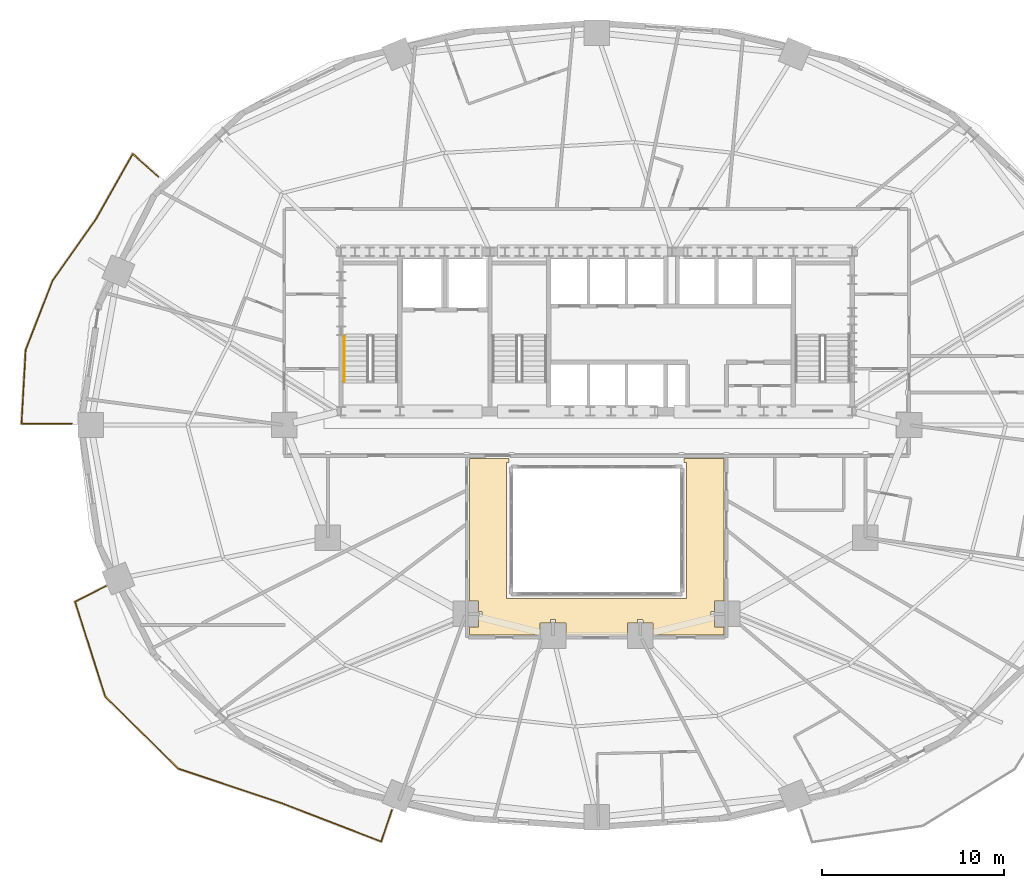
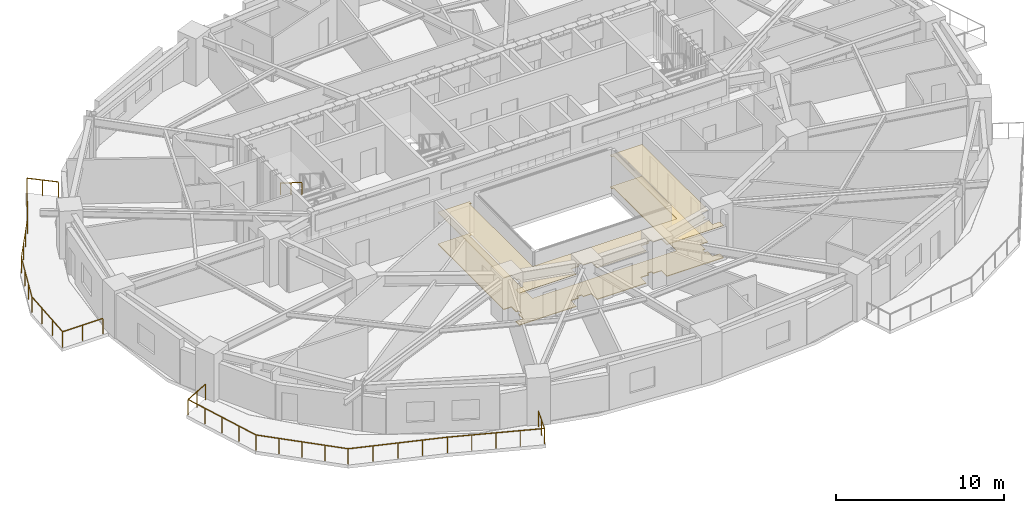
# One storey, part 13 of 15: 3 railings, 2 coverings.
"""IFC4 building model written with IfcOpenShell, lengths in metres."""

from ifc_helpers import new_model, si_unit, direction, frame, origin, origin_2d, place, context, subcontext, project, spatial, polyline, rectangle, outline, extrude, material, layer, layer_set, type_object, element, save


model = new_model("IFC4")

# Units and contexts
model_context = context("Model", 3, precision=1e-05, world=origin(), true_north=direction((0.0, 1.0)))
body_context = subcontext(model_context, "Body", "Model", "MODEL_VIEW")
ifc_project = project(units=[si_unit("LENGTHUNIT", "METRE"), si_unit("AREAUNIT", "SQUARE_METRE"), si_unit("VOLUMEUNIT", "CUBIC_METRE"), si_unit("PLANEANGLEUNIT", "RADIAN"), si_unit("MASSUNIT", "GRAM", prefix="KILO")], contexts=[model_context])

# Site, building, storey
site_placement = place(None, origin())
site = spatial("IfcSite", under=ifc_project, at=site_placement, CompositionType="ELEMENT")
building_placement = place(site_placement, origin())
building = spatial("IfcBuilding", under=site, at=building_placement, Name="Haldorwick Loom Tower", CompositionType="ELEMENT")
storey_placement = place(building_placement, frame((0.0, 0.0, 85.25)))
storey = spatial("IfcBuildingStorey", under=building, at=storey_placement, Name="L22", CompositionType="ELEMENT", Elevation=85.25)

# Coverings
ifc_material_1 = material(Name="Mineral Fibre Acoustic Ceiling Tile")
ifc_layer_1 = layer(ifc_material_1, 0.054931640625, Name="Mineral Fibre Acoustic Ceiling Tile")
ifc_layer_set_1 = layer_set([ifc_layer_1], Name="Mineral Fibre Acoustic Ceiling Tile")
covering_type_1 = type_object("IfcCoveringType", Name="ARC-COV-CEIL2", PredefinedType="CEILING", material=ifc_layer_set_1)
covering_1_placement = place(storey_placement, frame((0.0, 0.0, 2.302001953125)))
element("IfcCovering", 1, at=covering_1_placement, inside=storey, type_object=covering_type_1, Name="L22 Acoustic Suspended Ceiling 1", PredefinedType="CEILING", context=body_context, shape_type="SweptSolid", body=[
    extrude(outline(polyline([(40.820068359375, 24.159912109375), (40.820068359375, 23.949951171875), (40.949951171875, 23.949951171875), (40.949951171875, 16.449951171875), (31.050048828125, 16.449951171875), (31.050048828125, 23.949951171875), (31.179931640625, 23.949951171875), (31.179931640625, 24.159912109375), (28.989990234375, 24.159912109375), (28.989990234375, 16.30810546875), (29.508056640625, 16.30810546875), (29.508056640625, 15.739990234375), (29.669921875, 15.739990234375), (29.672119140625, 15.739990234375), (29.673828125, 15.739501953125), (29.67578125, 15.739013671875), (29.677734375, 15.738525390625), (29.679443359375, 15.737548828125), (29.68115234375, 15.736572265625), (29.6826171875, 15.735595703125), (29.68408203125, 15.734130859375), (29.685546875, 15.732666015625), (29.6865234375, 15.731201171875), (29.6875, 15.7294921875), (29.6884765625, 15.727783203125), (29.689208984375, 15.725830078125), (29.689697265625, 15.723876953125), (29.68994140625, 15.721923828125), (29.68994140625, 15.719970703125), (29.68994140625, 15.47998046875), (29.68994140625, 15.47802734375), (29.689697265625, 15.47607421875), (29.689208984375, 15.47412109375), (29.6884765625, 15.472412109375), (29.6875, 15.470703125), (29.6865234375, 15.468994140625), (29.685546875, 15.46728515625), (29.68408203125, 15.4658203125), (29.6826171875, 15.464599609375), (29.68115234375, 15.46337890625), (29.679443359375, 15.46240234375), (29.677734375, 15.46142578125), (29.67578125, 15.4609375), (29.673828125, 15.46044921875), (29.672119140625, 15.460205078125), (29.669921875, 15.4599609375), (29.508056640625, 15.4599609375), (29.508056640625, 14.89208984375), (28.989990234375, 14.89208984375), (28.989990234375, 14.43994140625), (32.89208984375, 14.43994140625), (32.89208984375, 15.10791015625), (33.4599609375, 15.10791015625), (33.4599609375, 15.27001953125), (33.460205078125, 15.27197265625), (33.46044921875, 15.27392578125), (33.4609375, 15.27587890625), (33.46142578125, 15.277587890625), (33.46240234375, 15.279296875), (33.46337890625, 15.281005859375), (33.464599609375, 15.28271484375), (33.4658203125, 15.2841796875), (33.46728515625, 15.285400390625), (33.468994140625, 15.28662109375), (33.470703125, 15.28759765625), (33.472412109375, 15.28857421875), (33.47412109375, 15.2890625), (33.47607421875, 15.28955078125), (33.47802734375, 15.289794921875), (33.47998046875, 15.2900390625), (33.719970703125, 15.2900390625), (33.721923828125, 15.289794921875), (33.723876953125, 15.28955078125), (33.725830078125, 15.2890625), (33.727783203125, 15.28857421875), (33.7294921875, 15.28759765625), (33.731201171875, 15.28662109375), (33.732666015625, 15.285400390625), (33.734130859375, 15.2841796875), (33.735595703125, 15.28271484375), (33.736572265625, 15.281005859375), (33.737548828125, 15.279296875), (33.738525390625, 15.277587890625), (33.739013671875, 15.27587890625), (33.739501953125, 15.27392578125), (33.739990234375, 15.27197265625), (33.739990234375, 15.27001953125), (33.739990234375, 15.10791015625), (34.30810546875, 15.10791015625), (34.30810546875, 14.43994140625), (37.69189453125, 14.43994140625), (37.69189453125, 15.10791015625), (38.260009765625, 15.10791015625), (38.260009765625, 15.27001953125), (38.260009765625, 15.27197265625), (38.260498046875, 15.27392578125), (38.260986328125, 15.27587890625), (38.261474609375, 15.277587890625), (38.262451171875, 15.279296875), (38.263427734375, 15.281005859375), (38.264404296875, 15.28271484375), (38.265869140625, 15.2841796875), (38.267333984375, 15.285400390625), (38.268798828125, 15.28662109375), (38.2705078125, 15.28759765625), (38.272216796875, 15.28857421875), (38.274169921875, 15.2890625), (38.276123046875, 15.28955078125), (38.278076171875, 15.289794921875), (38.280029296875, 15.2900390625), (38.52001953125, 15.2900390625), (38.52197265625, 15.289794921875), (38.52392578125, 15.28955078125), (38.52587890625, 15.2890625), (38.527587890625, 15.28857421875), (38.529296875, 15.28759765625), (38.531005859375, 15.28662109375), (38.53271484375, 15.285400390625), (38.5341796875, 15.2841796875), (38.535400390625, 15.28271484375), (38.53662109375, 15.28125), (38.53759765625, 15.279541015625), (38.538330078125, 15.277587890625), (38.5390625, 15.27587890625), (38.53955078125, 15.27392578125), (38.539794921875, 15.272216796875), (38.5400390625, 15.27001953125), (38.540771484375, 15.10791015625), (39.10791015625, 15.10791015625), (39.10791015625, 14.43994140625), (43.010009765625, 14.43994140625), (43.010009765625, 14.89208984375), (42.491943359375, 14.89208984375), (42.491943359375, 15.4599609375), (42.330078125, 15.4599609375), (42.327880859375, 15.460205078125), (42.326171875, 15.46044921875), (42.32421875, 15.4609375), (42.322265625, 15.46142578125), (42.320556640625, 15.46240234375), (42.31884765625, 15.46337890625), (42.3173828125, 15.464599609375), (42.31591796875, 15.4658203125), (42.314453125, 15.46728515625), (42.3134765625, 15.468994140625), (42.3125, 15.470703125), (42.3115234375, 15.472412109375), (42.310791015625, 15.47412109375), (42.310302734375, 15.47607421875), (42.31005859375, 15.47802734375), (42.31005859375, 15.47998046875), (42.31005859375, 15.719970703125), (42.31005859375, 15.721923828125), (42.310302734375, 15.723876953125), (42.310791015625, 15.725830078125), (42.3115234375, 15.727783203125), (42.3125, 15.7294921875), (42.3134765625, 15.731201171875), (42.314453125, 15.732666015625), (42.31591796875, 15.734130859375), (42.3173828125, 15.735595703125), (42.31884765625, 15.736572265625), (42.320556640625, 15.737548828125), (42.322265625, 15.738525390625), (42.32421875, 15.739013671875), (42.326171875, 15.739501953125), (42.327880859375, 15.739990234375), (42.330078125, 15.739990234375), (42.491943359375, 15.739990234375), (42.491943359375, 16.30810546875), (43.010009765625, 16.30810546875), (43.010009765625, 24.159912109375), (40.820068359375, 24.159912109375)])), origin(), (0.0, 0.0, 1.0), 0.054931640625),
])
ifc_material_2 = material(Name="Polished Aggregate Terrazzo Finish")
ifc_layer_2 = layer(ifc_material_2, 0.044921875, Name="Polished Aggregate Terrazzo Finish")
ifc_layer_set_2 = layer_set([ifc_layer_2], Name="Polished Aggregate Terrazzo Finish")
covering_type_2 = type_object("IfcCoveringType", Name="ARC-COV-FLOOR2", PredefinedType="FLOORING", material=ifc_layer_set_2)
covering_2_placement = place(storey_placement, origin())
element("IfcCovering", 2, at=covering_2_placement, inside=storey, type_object=covering_type_2, Name="L22 Floor Finish 1", PredefinedType="FLOORING", context=body_context, shape_type="SweptSolid", body=[
    extrude(outline(polyline([(40.820068359375, 24.159912109375), (40.820068359375, 23.949951171875), (40.949951171875, 23.949951171875), (40.949951171875, 16.449951171875), (31.050048828125, 16.449951171875), (31.050048828125, 23.949951171875), (31.179931640625, 23.949951171875), (31.179931640625, 24.159912109375), (28.989990234375, 24.159912109375), (28.989990234375, 16.30810546875), (29.508056640625, 16.30810546875), (29.508056640625, 15.739990234375), (29.669921875, 15.739990234375), (29.672119140625, 15.739990234375), (29.673828125, 15.739501953125), (29.67578125, 15.739013671875), (29.677734375, 15.738525390625), (29.679443359375, 15.737548828125), (29.68115234375, 15.736572265625), (29.6826171875, 15.735595703125), (29.68408203125, 15.734130859375), (29.685546875, 15.732666015625), (29.6865234375, 15.731201171875), (29.6875, 15.7294921875), (29.6884765625, 15.727783203125), (29.689208984375, 15.725830078125), (29.689697265625, 15.723876953125), (29.68994140625, 15.721923828125), (29.68994140625, 15.719970703125), (29.68994140625, 15.47998046875), (29.68994140625, 15.47802734375), (29.689697265625, 15.47607421875), (29.689208984375, 15.47412109375), (29.6884765625, 15.472412109375), (29.6875, 15.470703125), (29.6865234375, 15.468994140625), (29.685546875, 15.46728515625), (29.68408203125, 15.4658203125), (29.6826171875, 15.464599609375), (29.68115234375, 15.46337890625), (29.679443359375, 15.46240234375), (29.677734375, 15.46142578125), (29.67578125, 15.4609375), (29.673828125, 15.46044921875), (29.672119140625, 15.460205078125), (29.669921875, 15.4599609375), (29.508056640625, 15.4599609375), (29.508056640625, 14.89208984375), (28.989990234375, 14.89208984375), (28.989990234375, 14.43994140625), (32.89208984375, 14.43994140625), (32.89208984375, 15.10791015625), (33.4599609375, 15.10791015625), (33.4599609375, 15.27001953125), (33.460205078125, 15.27197265625), (33.46044921875, 15.27392578125), (33.4609375, 15.27587890625), (33.46142578125, 15.277587890625), (33.46240234375, 15.279296875), (33.46337890625, 15.281005859375), (33.464599609375, 15.28271484375), (33.4658203125, 15.2841796875), (33.46728515625, 15.285400390625), (33.468994140625, 15.28662109375), (33.470703125, 15.28759765625), (33.472412109375, 15.28857421875), (33.47412109375, 15.2890625), (33.47607421875, 15.28955078125), (33.47802734375, 15.289794921875), (33.47998046875, 15.2900390625), (33.719970703125, 15.2900390625), (33.721923828125, 15.289794921875), (33.723876953125, 15.28955078125), (33.725830078125, 15.2890625), (33.727783203125, 15.28857421875), (33.7294921875, 15.28759765625), (33.731201171875, 15.28662109375), (33.732666015625, 15.285400390625), (33.734130859375, 15.2841796875), (33.735595703125, 15.28271484375), (33.736572265625, 15.281005859375), (33.737548828125, 15.279296875), (33.738525390625, 15.277587890625), (33.739013671875, 15.27587890625), (33.739501953125, 15.27392578125), (33.739990234375, 15.27197265625), (33.739990234375, 15.27001953125), (33.739990234375, 15.10791015625), (34.30810546875, 15.10791015625), (34.30810546875, 14.43994140625), (37.69189453125, 14.43994140625), (37.69189453125, 15.10791015625), (38.260009765625, 15.10791015625), (38.260009765625, 15.27001953125), (38.260009765625, 15.27197265625), (38.260498046875, 15.27392578125), (38.260986328125, 15.27587890625), (38.261474609375, 15.277587890625), (38.262451171875, 15.279296875), (38.263427734375, 15.281005859375), (38.264404296875, 15.28271484375), (38.265869140625, 15.2841796875), (38.267333984375, 15.285400390625), (38.268798828125, 15.28662109375), (38.2705078125, 15.28759765625), (38.272216796875, 15.28857421875), (38.274169921875, 15.2890625), (38.276123046875, 15.28955078125), (38.278076171875, 15.289794921875), (38.280029296875, 15.2900390625), (38.52001953125, 15.2900390625), (38.52197265625, 15.289794921875), (38.52392578125, 15.28955078125), (38.52587890625, 15.2890625), (38.527587890625, 15.28857421875), (38.529296875, 15.28759765625), (38.531005859375, 15.28662109375), (38.53271484375, 15.285400390625), (38.5341796875, 15.2841796875), (38.535400390625, 15.28271484375), (38.53662109375, 15.28125), (38.53759765625, 15.279541015625), (38.538330078125, 15.277587890625), (38.5390625, 15.27587890625), (38.53955078125, 15.27392578125), (38.539794921875, 15.272216796875), (38.5400390625, 15.27001953125), (38.540771484375, 15.10791015625), (39.10791015625, 15.10791015625), (39.10791015625, 14.43994140625), (43.010009765625, 14.43994140625), (43.010009765625, 14.89208984375), (42.491943359375, 14.89208984375), (42.491943359375, 15.4599609375), (42.330078125, 15.4599609375), (42.327880859375, 15.460205078125), (42.326171875, 15.46044921875), (42.32421875, 15.4609375), (42.322265625, 15.46142578125), (42.320556640625, 15.46240234375), (42.31884765625, 15.46337890625), (42.3173828125, 15.464599609375), (42.31591796875, 15.4658203125), (42.314453125, 15.46728515625), (42.3134765625, 15.468994140625), (42.3125, 15.470703125), (42.3115234375, 15.472412109375), (42.310791015625, 15.47412109375), (42.310302734375, 15.47607421875), (42.31005859375, 15.47802734375), (42.31005859375, 15.47998046875), (42.31005859375, 15.719970703125), (42.31005859375, 15.721923828125), (42.310302734375, 15.723876953125), (42.310791015625, 15.725830078125), (42.3115234375, 15.727783203125), (42.3125, 15.7294921875), (42.3134765625, 15.731201171875), (42.314453125, 15.732666015625), (42.31591796875, 15.734130859375), (42.3173828125, 15.735595703125), (42.31884765625, 15.736572265625), (42.320556640625, 15.737548828125), (42.322265625, 15.738525390625), (42.32421875, 15.739013671875), (42.326171875, 15.739501953125), (42.327880859375, 15.739990234375), (42.330078125, 15.739990234375), (42.491943359375, 15.739990234375), (42.491943359375, 16.30810546875), (43.010009765625, 16.30810546875), (43.010009765625, 24.159912109375), (40.820068359375, 24.159912109375)])), origin(), (0.0, 0.0, 1.0), 0.044921875),
])

# Railings
ifc_material_3 = material(Name="Galvanized Steel CSA G40.21 350W", Category="steel")
railing_type_1 = type_object("IfcRailingType", Name="ARC-RLG-BAL115", PredefinedType="BALUSTRADE", material=ifc_material_3)
railing_1_placement = place(storey_placement, frame((24.726806640625, 4.806396484375, 0.0)))
element("IfcRailing", 3, at=railing_1_placement, inside=storey, type_object=railing_type_1, Name="L22 Outdoor Terrace Guardrail SLB-L22-BAL_SW-1", PredefinedType="BALUSTRADE", context=body_context, shape_type="SweptSolid", body=[
    extrude(rectangle(XDim=0.048095703125, YDim=0.048095703125, at=origin_2d()), frame((0.0, 0.0, 1.1259765625), z_axis=(-0.320417931945, -0.94727627907, 0.0), x_axis=(0.94727627907, -0.320417931945, 0.0)), (0.0, 0.0, 1.0), 1.833984375),
    extrude(rectangle(XDim=0.048095703125, YDim=0.048095703125, at=origin_2d()), frame((-0.587646484375, -1.7373046875, 1.1259765625), z_axis=(-0.932882459641, 0.360180949654, 0.0), x_axis=(-0.360180949654, -0.932882459641, 0.0)), (0.0, 0.0, 1.0), 5.838134765625),
    extrude(rectangle(XDim=0.048095703125, YDim=0.048095703125, at=origin_2d()), frame((-6.033935546875, 0.365478515625, 1.1259765625), z_axis=(-0.948683298051, 0.316227766017, 0.0), x_axis=(-0.316227766017, -0.948683298051, 0.0)), (0.0, 0.0, 1.0), 0.00390625),
    extrude(rectangle(XDim=0.048095703125, YDim=0.048095703125, at=origin_2d()), frame((-6.03759765625, 0.36669921875, 1.1259765625), z_axis=(-0.948504711831, 0.316763021254, 0.0), x_axis=(-0.316763021254, -0.948504711831, 0.0)), (0.0, 0.0, 1.0), 6.020263671875),
    extrude(rectangle(XDim=0.048095703125, YDim=0.048095703125, at=origin_2d()), frame((-11.747802734375, 2.273681640625, 1.1259765625), z_axis=(-0.711398400185, 0.702788955671, 0.0), x_axis=(-0.702788955671, -0.711398400185, 0.0)), (0.0, 0.0, 1.0), 5.67138671875),
    extrude(rectangle(XDim=0.048095703125, YDim=0.048095703125, at=origin_2d()), frame((-15.782470703125, 6.259521484375, 1.1259765625), z_axis=(-0.303362527598, 0.952875215781, 0.0), x_axis=(-0.952875215781, -0.303362527598, 0.0)), (0.0, 0.0, 1.0), 5.454833984375),
    extrude(rectangle(XDim=0.048095703125, YDim=0.048095703125, at=origin_2d()), frame((-17.437255859375, 11.457275390625, 1.1259765625), z_axis=(0.890778954109, 0.454436854708, 0.0), x_axis=(-0.454436854708, 0.890778954109, 0.0)), (0.0, 0.0, 1.0), 1.888916015625),
    extrude(rectangle(XDim=0.0419921875, YDim=0.0419921875, at=origin_2d()), origin(), (0.0, 0.0, 1.0), 1.101806640625),
    extrude(rectangle(XDim=0.0419921875, YDim=0.0419921875, at=origin_2d()), frame((-0.2939453125, -0.86865234375, 0.0)), (0.0, 0.0, 1.0), 1.101806640625),
    extrude(rectangle(XDim=0.0419921875, YDim=0.0419921875, at=origin_2d()), frame((-0.587646484375, -1.7373046875, 0.0)), (0.0, 0.0, 1.0), 1.101806640625),
    extrude(rectangle(XDim=0.0419921875, YDim=0.0419921875, at=origin_2d()), frame((-1.94921875, -1.211669921875, 0.0)), (0.0, 0.0, 1.0), 1.101806640625),
    extrude(rectangle(XDim=0.0419921875, YDim=0.0419921875, at=origin_2d()), frame((-3.310791015625, -0.68603515625, 0.0)), (0.0, 0.0, 1.0), 1.101806640625),
    extrude(rectangle(XDim=0.0419921875, YDim=0.0419921875, at=origin_2d()), frame((-4.67236328125, -0.16015625, 0.0)), (0.0, 0.0, 1.0), 1.101806640625),
    extrude(rectangle(XDim=0.0419921875, YDim=0.0419921875, at=origin_2d()), frame((-6.033935546875, 0.365478515625, 0.0)), (0.0, 0.0, 1.0), 1.101806640625),
    extrude(rectangle(XDim=0.0419921875, YDim=0.0419921875, at=origin_2d()), frame((-7.465087890625, 0.843505859375, 0.0)), (0.0, 0.0, 1.0), 1.101806640625),
    extrude(rectangle(XDim=0.0419921875, YDim=0.0419921875, at=origin_2d()), frame((-8.892578125, 1.3203125, 0.0)), (0.0, 0.0, 1.0), 1.101806640625),
    extrude(rectangle(XDim=0.0419921875, YDim=0.0419921875, at=origin_2d()), frame((-10.3203125, 1.796875, 0.0)), (0.0, 0.0, 1.0), 1.101806640625),
    extrude(rectangle(XDim=0.0419921875, YDim=0.0419921875, at=origin_2d()), frame((-11.747802734375, 2.273681640625, 0.0)), (0.0, 0.0, 1.0), 1.101806640625),
    extrude(rectangle(XDim=0.0419921875, YDim=0.0419921875, at=origin_2d()), frame((-12.75634765625, 3.27001953125, 0.0)), (0.0, 0.0, 1.0), 1.101806640625),
    extrude(rectangle(XDim=0.0419921875, YDim=0.0419921875, at=origin_2d()), frame((-13.76513671875, 4.2666015625, 0.0)), (0.0, 0.0, 1.0), 1.101806640625),
    extrude(rectangle(XDim=0.0419921875, YDim=0.0419921875, at=origin_2d()), frame((-14.77392578125, 5.26318359375, 0.0)), (0.0, 0.0, 1.0), 1.101806640625),
    extrude(rectangle(XDim=0.0419921875, YDim=0.0419921875, at=origin_2d()), frame((-15.782470703125, 6.259521484375, 0.0)), (0.0, 0.0, 1.0), 1.101806640625),
    extrude(rectangle(XDim=0.0419921875, YDim=0.0419921875, at=origin_2d()), frame((-16.1962890625, 7.55908203125, 0.0)), (0.0, 0.0, 1.0), 1.101806640625),
    extrude(rectangle(XDim=0.0419921875, YDim=0.0419921875, at=origin_2d()), frame((-16.60986328125, 8.8583984375, 0.0)), (0.0, 0.0, 1.0), 1.101806640625),
    extrude(rectangle(XDim=0.0419921875, YDim=0.0419921875, at=origin_2d()), frame((-17.0234375, 10.15771484375, 0.0)), (0.0, 0.0, 1.0), 1.101806640625),
    extrude(rectangle(XDim=0.0419921875, YDim=0.0419921875, at=origin_2d()), frame((-17.437255859375, 11.457275390625, 0.0)), (0.0, 0.0, 1.0), 1.101806640625),
    extrude(rectangle(XDim=0.0419921875, YDim=0.0419921875, at=origin_2d()), frame((-16.595947265625, 11.886474609375, 0.0)), (0.0, 0.0, 1.0), 1.101806640625),
    extrude(rectangle(XDim=0.0419921875, YDim=0.0419921875, at=origin_2d()), frame((-15.754638671875, 12.315673828125, 0.0)), (0.0, 0.0, 1.0), 1.101806640625),
])
railing_2_placement = place(storey_placement, frame((7.09912109375, 26.080078125, 0.0)))
element("IfcRailing", 4, at=railing_2_placement, inside=storey, type_object=railing_type_1, Name="L22 Outdoor Terrace Guardrail SLB-L22-BAL_WNW-1", PredefinedType="BALUSTRADE", context=body_context, shape_type="SweptSolid", body=[
    extrude(rectangle(XDim=0.048095703125, YDim=0.048095703125, at=origin_2d()), frame((0.0, 0.0, 1.1259765625), z_axis=(-1.0, 0.0, 0.0), x_axis=(0.0, -1.0, 0.0)), (0.0, 0.0, 1.0), 2.760498046875),
    extrude(rectangle(XDim=0.048095703125, YDim=0.048095703125, at=origin_2d()), frame((-2.760498046875, 0.0, 1.1259765625), z_axis=(0.056246298958, 0.998416923862, 0.0), x_axis=(-0.998416923862, 0.056246298958, 0.0)), (0.0, 0.0, 1.0), 4.058349609375),
    extrude(rectangle(XDim=0.048095703125, YDim=0.048095703125, at=origin_2d()), frame((-2.5322265625, 4.052001953125, 1.1259765625), z_axis=(0.362738037481, 0.931891150384, 0.0), x_axis=(-0.931891150384, 0.362738037481, 0.0)), (0.0, 0.0, 1.0), 4.118408203125),
    extrude(rectangle(XDim=0.048095703125, YDim=0.048095703125, at=origin_2d()), frame((-1.038330078125, 7.889892578125, 1.1259765625), z_axis=(0.57677905745, 0.81690018906, 0.0), x_axis=(-0.81690018906, 0.57677905745, 0.0)), (0.0, 0.0, 1.0), 4.099609375),
    extrude(rectangle(XDim=0.048095703125, YDim=0.048095703125, at=origin_2d()), frame((1.326171875, 11.23876953125, 1.1259765625), z_axis=(0.540757591313, 0.841178475377, 0.0), x_axis=(-0.841178475377, 0.540757591313, 0.0)), (0.0, 0.0, 1.0), 0.008056640625),
    extrude(rectangle(XDim=0.048095703125, YDim=0.048095703125, at=origin_2d()), frame((1.33056640625, 11.24560546875, 1.1259765625), z_axis=(0.491360253455, 0.870956429062, 0.0), x_axis=(-0.870956429062, 0.491360253455, 0.0)), (0.0, 0.0, 1.0), 4.133056640625),
    extrude(rectangle(XDim=0.048095703125, YDim=0.048095703125, at=origin_2d()), frame((3.361328125, 14.84521484375, 1.1259765625), z_axis=(0.745860425013, -0.66610226422, 0.0), x_axis=(0.66610226422, 0.745860425013, 0.0)), (0.0, 0.0, 1.0), 1.906982421875),
    extrude(rectangle(XDim=0.0419921875, YDim=0.0419921875, at=origin_2d()), origin(), (0.0, 0.0, 1.0), 1.101806640625),
    extrude(rectangle(XDim=0.0419921875, YDim=0.0419921875, at=origin_2d()), frame((-1.38037109375, 0.0, 0.0)), (0.0, 0.0, 1.0), 1.101806640625),
    extrude(rectangle(XDim=0.0419921875, YDim=0.0419921875, at=origin_2d()), frame((-2.760498046875, 0.0, 0.0)), (0.0, 0.0, 1.0), 1.101806640625),
    extrude(rectangle(XDim=0.0419921875, YDim=0.0419921875, at=origin_2d()), frame((-2.684326171875, 1.3505859375, 0.0)), (0.0, 0.0, 1.0), 1.101806640625),
    extrude(rectangle(XDim=0.0419921875, YDim=0.0419921875, at=origin_2d()), frame((-2.6083984375, 2.701416015625, 0.0)), (0.0, 0.0, 1.0), 1.101806640625),
    extrude(rectangle(XDim=0.0419921875, YDim=0.0419921875, at=origin_2d()), frame((-2.5322265625, 4.052001953125, 0.0)), (0.0, 0.0, 1.0), 1.101806640625),
    extrude(rectangle(XDim=0.0419921875, YDim=0.0419921875, at=origin_2d()), frame((-2.0341796875, 5.331298828125, 0.0)), (0.0, 0.0, 1.0), 1.101806640625),
    extrude(rectangle(XDim=0.0419921875, YDim=0.0419921875, at=origin_2d()), frame((-1.536376953125, 6.610595703125, 0.0)), (0.0, 0.0, 1.0), 1.101806640625),
    extrude(rectangle(XDim=0.0419921875, YDim=0.0419921875, at=origin_2d()), frame((-1.038330078125, 7.889892578125, 0.0)), (0.0, 0.0, 1.0), 1.101806640625),
    extrude(rectangle(XDim=0.0419921875, YDim=0.0419921875, at=origin_2d()), frame((-0.250244140625, 9.006103515625, 0.0)), (0.0, 0.0, 1.0), 1.101806640625),
    extrude(rectangle(XDim=0.0419921875, YDim=0.0419921875, at=origin_2d()), frame((0.5380859375, 10.12255859375, 0.0)), (0.0, 0.0, 1.0), 1.101806640625),
    extrude(rectangle(XDim=0.0419921875, YDim=0.0419921875, at=origin_2d()), frame((1.326171875, 11.23876953125, 0.0)), (0.0, 0.0, 1.0), 1.101806640625),
    extrude(rectangle(XDim=0.0419921875, YDim=0.0419921875, at=origin_2d()), frame((2.007568359375, 12.445556640625, 0.0)), (0.0, 0.0, 1.0), 1.101806640625),
    extrude(rectangle(XDim=0.0419921875, YDim=0.0419921875, at=origin_2d()), frame((2.684326171875, 13.645263671875, 0.0)), (0.0, 0.0, 1.0), 1.101806640625),
    extrude(rectangle(XDim=0.0419921875, YDim=0.0419921875, at=origin_2d()), frame((3.361328125, 14.84521484375, 0.0)), (0.0, 0.0, 1.0), 1.101806640625),
    extrude(rectangle(XDim=0.0419921875, YDim=0.0419921875, at=origin_2d()), frame((4.072509765625, 14.2099609375, 0.0)), (0.0, 0.0, 1.0), 1.101806640625),
    extrude(rectangle(XDim=0.0419921875, YDim=0.0419921875, at=origin_2d()), frame((4.78369140625, 13.574951171875, 0.0)), (0.0, 0.0, 1.0), 1.101806640625),
])
ifc_material_4 = material(Name="Steel CSA G40.21 350W", Category="steel")
railing_type_2 = type_object("IfcRailingType", Name="ARC-RLG-HAND092", PredefinedType="HANDRAIL", material=ifc_material_4)
railing_3_placement = place(storey_placement, frame((22.10009765625, 30.919921875, 1.8974609375)))
element("IfcRailing", 5, at=railing_3_placement, inside=storey, type_object=railing_type_2, Name="L22 ST-01 stair handrail 2", PredefinedType="HANDRAIL", context=body_context, shape_type="SweptSolid", body=[
    extrude(rectangle(XDim=0.048095703125, YDim=0.048095703125, at=origin_2d()), frame((0.0, 0.0, 0.8759765625), z_axis=(0.0, -0.851400495292, 0.524516154772), x_axis=(1.0, 0.0, 0.0)), (0.0, 0.0, 1.0), 2.9599609375),
    extrude(rectangle(XDim=0.0419921875, YDim=0.0419921875, at=origin_2d()), origin(), (0.0, 0.0, 1.0), 0.851806640625),
    extrude(rectangle(XDim=0.0419921875, YDim=0.0419921875, at=origin_2d()), frame((0.0, -1.260009765625, 0.7763671875)), (0.0, 0.0, 1.0), 0.851806640625),
    extrude(rectangle(XDim=0.0419921875, YDim=0.0419921875, at=origin_2d()), frame((0.0, -2.52001953125, 1.552490234375)), (0.0, 0.0, 1.0), 0.851806640625),
])

save(model, "model.ifc")
